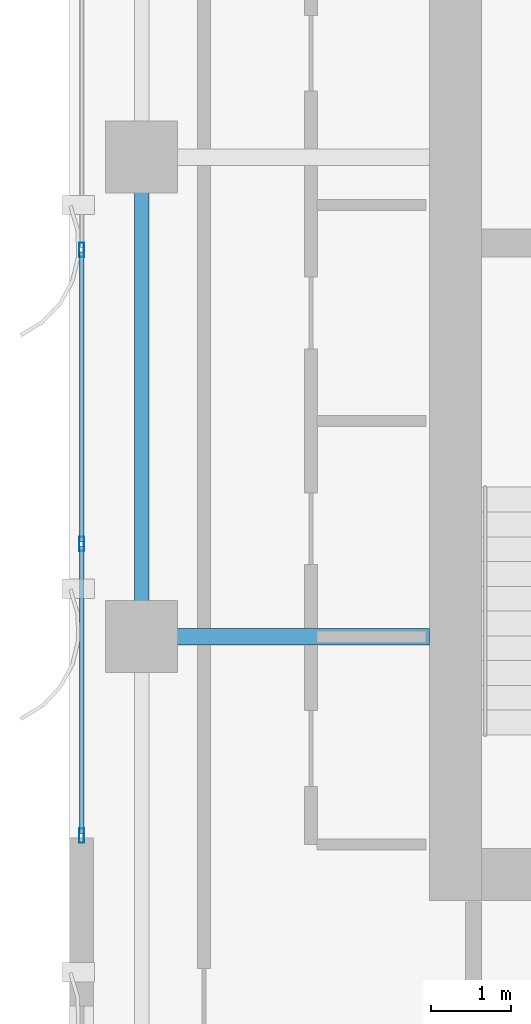
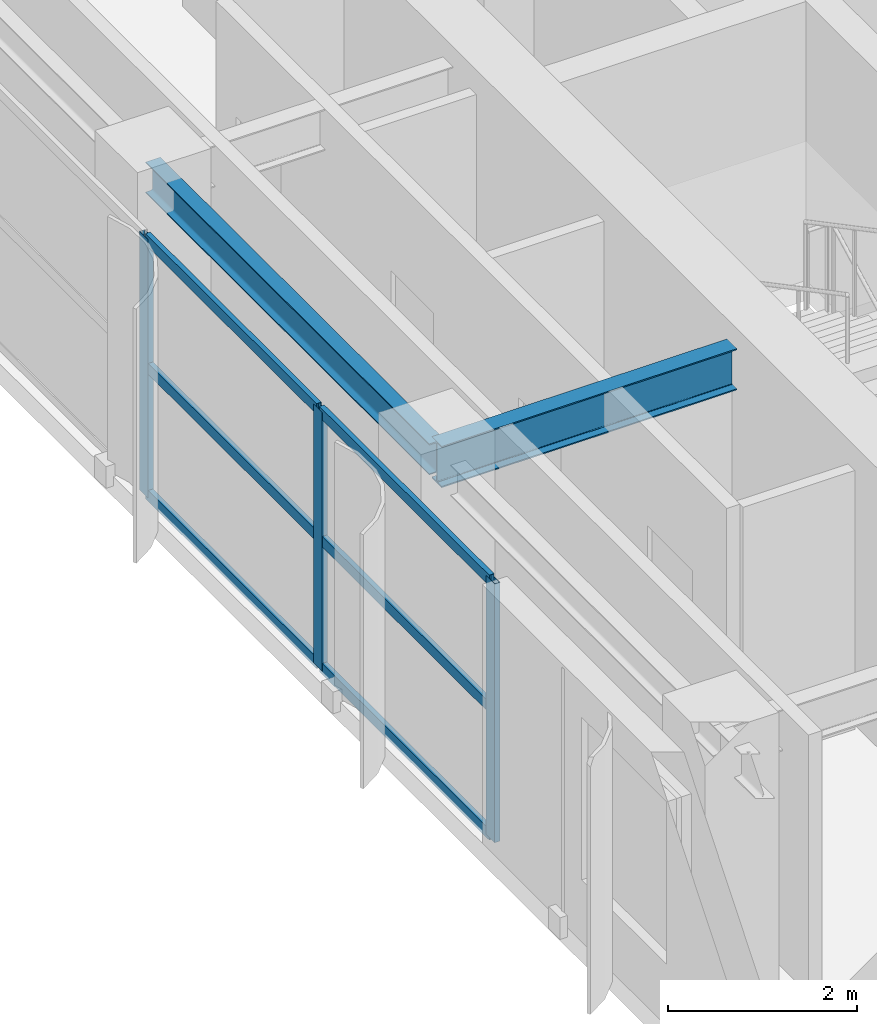
# One storey, part 7 of 25: 9 members, 2 beams, 1 element without a shape of its own.
"""IFC4 building model written with IfcOpenShell, lengths in metres."""

from ifc_helpers import new_model, si_unit, direction, frame, origin, origin_2d, place, context, subcontext, project, spatial, hollow_rectangle, i_section, extrude, source, transform, mapped, material, layer, layer_set, material_profile, profile_set, type_object, element, aggregate, save


model = new_model("IFC4")

# Units and contexts
model_context = context("Model", 3, precision=1e-05, world=origin(), true_north=direction((0.0, 1.0)))
body_context = subcontext(model_context, "Body", "Model", "MODEL_VIEW")
ifc_project = project(units=[si_unit("LENGTHUNIT", "METRE"), si_unit("AREAUNIT", "SQUARE_METRE"), si_unit("VOLUMEUNIT", "CUBIC_METRE"), si_unit("PLANEANGLEUNIT", "RADIAN"), si_unit("MASSUNIT", "GRAM", prefix="KILO")], contexts=[model_context])

# Site, building, storey
site_placement = place(None, origin())
site = spatial("IfcSite", under=ifc_project, at=site_placement, CompositionType="ELEMENT")
building_placement = place(site_placement, origin())
building = spatial("IfcBuilding", under=site, at=building_placement, Name="Khoralis Quay Care Tower", CompositionType="ELEMENT")
storey_placement = place(building_placement, frame((0.0, 0.0, 166.5)))
storey = spatial("IfcBuildingStorey", under=building, at=storey_placement, Name="L43", CompositionType="ELEMENT", Elevation=166.5)

# Beams
ifc_material_1 = material(Name="Steel S355", Category="steel")
ifc_material_profile_1 = material_profile(ifc_material_1, i_section(OverallWidth=0.179931640625, OverallDepth=0.39990234375, WebThickness=0.008544921875, FlangeThickness=0.013427734375, FilletRadius=0.02099609375, at=origin_2d()), Name="Steel S355")
ifc_profile_set_1 = profile_set([ifc_material_profile_1], Name="Steel S355")
beam_type_1 = type_object("IfcBeamType", Name="BM-IPE400", PredefinedType="SPANDREL", material=ifc_profile_set_1)
shared_shape_1 = source(origin(), body_context, "Body", "SweptSolid", [
    extrude(i_section(OverallWidth=0.179931640625, OverallDepth=0.39990234375, WebThickness=0.008544921875, FlangeThickness=0.013427734375, FilletRadius=0.02099609375, at=origin_2d()), origin(), (0.0, 0.0, 1.0), 6.0),
])
beam_1_placement = place(storey_placement, frame((3.89990234375, 18.0, 3.139892578125), z_axis=(0.0, 1.0, 0.0), x_axis=(-1.0, 0.0, 0.0)))
element("IfcBeam", 1, at=beam_1_placement, inside=storey, type_object=beam_type_1, Name="BM-TSP-L43-11", PredefinedType="SPANDREL", context=body_context, shape_type="MappedRepresentation", body=[
    mapped(shared_shape_1, transform((0.0, 0.0, 0.0), scale=1.0)),
])
ifc_material_profile_2 = material_profile(ifc_material_1, i_section(OverallWidth=0.208984375, OverallDepth=0.532958984375, WebThickness=0.01025390625, FlangeThickness=0.015625, FilletRadius=0.01611328125, at=origin_2d()), Name="Steel S355")
ifc_profile_set_2 = profile_set([ifc_material_profile_2], Name="Steel S355")
beam_type_2 = type_object("IfcBeamType", Name="BM-W530X92", PredefinedType="BEAM", material=ifc_profile_set_2)
shared_shape_2 = source(origin(), body_context, "Body", "SweptSolid", [
    extrude(i_section(OverallWidth=0.208984375, OverallDepth=0.532958984375, WebThickness=0.01025390625, FlangeThickness=0.015625, FilletRadius=0.01611328125, at=origin_2d()), origin(), (0.0, 0.0, 1.0), 3.60205078125),
])
beam_2_placement = place(storey_placement, frame((3.89990234375, 18.0, 3.073486328125), z_axis=(1.0, 0.0, 0.0), x_axis=(0.0, 1.0, 0.0)))
element("IfcBeam", 2, at=beam_2_placement, inside=storey, type_object=beam_type_2, Name="BM-TGXW-L43-180", PredefinedType="BEAM", context=body_context, shape_type="MappedRepresentation", body=[
    mapped(shared_shape_2, transform((0.0, 0.0, 0.0), scale=1.0)),
])

# Curtain wall, members
ifc_material_2 = material(Name="Pale anodised aluminium", Category="aluminium")
ifc_layer = layer(ifc_material_2, 0.159912109375)
ifc_layer_set = layer_set([ifc_layer], Name="Pale anodised aluminium")
curtain_wall_type = type_object("IfcCurtainWallType", Name="CW-SYS-Z3", PredefinedType="NOTDEFINED", material=ifc_layer_set)
curtain_wall_placement = place(storey_placement, origin())
curtain_wall = element("IfcCurtainWall", 3, at=curtain_wall_placement, inside=storey, type_object=curtain_wall_type, Name="L43 Unitised Curtain Wall CW-L43-P1-E15", PredefinedType="NOTDEFINED")
ifc_material_profile_3 = material_profile(ifc_material_2, hollow_rectangle(XDim=0.06494140625, YDim=0.179931640625, WallThickness=0.00390625, at=origin_2d()), Name="Pale anodised aluminium")
ifc_profile_set_3 = profile_set([ifc_material_profile_3], Name="Pale anodised aluminium")
member_type_1 = type_object("IfcMemberType", Name="CW-MUL-180", PredefinedType="MULLION", material=ifc_profile_set_3)
shared_shape_3 = source(origin(), body_context, "Body", "SweptSolid", [
    extrude(hollow_rectangle(XDim=0.06494140625, YDim=0.179931640625, WallThickness=0.00390625, at=origin_2d()), origin(), (0.0, 0.0, 1.0), 3.340087890625),
])
member_1_placement = place(storey_placement, frame((3.14990234375, 22.840087890625, 0.0), z_axis=(0.0, 0.0, 1.0), x_axis=(1.0, 0.0, 0.0)))
member_1 = element("IfcMember", 4, at=member_1_placement, type_object=member_type_1, Name="CW3 mullion 2", PredefinedType="MULLION", context=body_context, shape_type="MappedRepresentation", body=[
    mapped(shared_shape_3, transform((0.0, 0.0, 0.0), scale=1.0)),
])
member_2_placement = place(storey_placement, frame((3.14990234375, 19.159912109375, 0.0), z_axis=(0.0, 0.0, 1.0), x_axis=(1.0, 0.0, 0.0)))
member_2 = element("IfcMember", 5, at=member_2_placement, type_object=member_type_1, Name="CW3 mullion 3", PredefinedType="MULLION", context=body_context, shape_type="MappedRepresentation", body=[
    mapped(shared_shape_3, transform((0.0, 0.0, 0.0), scale=1.0)),
])
member_3_placement = place(storey_placement, frame((3.14990234375, 15.510009765625, 0.0), z_axis=(0.0, 0.0, 1.0), x_axis=(1.0, 0.0, 0.0)))
member_3 = element("IfcMember", 6, at=member_3_placement, type_object=member_type_1, Name="CW3 mullion 4", PredefinedType="MULLION", context=body_context, shape_type="MappedRepresentation", body=[
    mapped(shared_shape_3, transform((0.0, 0.0, 0.0), scale=1.0)),
])
ifc_material_profile_4 = material_profile(ifc_material_2, hollow_rectangle(XDim=0.06005859375, YDim=0.139892578125, WallThickness=0.00390625, at=origin_2d()), Name="Pale anodised aluminium")
ifc_profile_set_4 = profile_set([ifc_material_profile_4], Name="Pale anodised aluminium")
member_type_2 = type_object("IfcMemberType", Name="CW-TRN-140", PredefinedType="USERDEFINED", material=ifc_profile_set_4)
shared_shape_4 = source(origin(), body_context, "Body", "SweptSolid", [
    extrude(hollow_rectangle(XDim=0.06005859375, YDim=0.139892578125, WallThickness=0.00390625, at=origin_2d()), origin(), (0.0, 0.0, 1.0), 3.58984375),
])
member_4_placement = place(storey_placement, frame((3.14990234375, 19.1298828125, 0.030029296875), z_axis=(0.0, -1.0, 0.0), x_axis=(1.0, 0.0, 0.0)))
member_4 = element("IfcMember", 7, at=member_4_placement, type_object=member_type_2, Name="CW3 transom 3.1", ObjectType="TRANSOM", PredefinedType="USERDEFINED", context=body_context, shape_type="MappedRepresentation", body=[
    mapped(shared_shape_4, transform((0.0, 0.0, 0.0), scale=1.0)),
])
member_5_placement = place(storey_placement, frame((3.14990234375, 19.1298828125, 1.669921875), z_axis=(0.0, -1.0, 0.0), x_axis=(1.0, 0.0, 0.0)))
member_5 = element("IfcMember", 8, at=member_5_placement, type_object=member_type_2, Name="CW3 transom 3.2", ObjectType="TRANSOM", PredefinedType="USERDEFINED", context=body_context, shape_type="MappedRepresentation", body=[
    mapped(shared_shape_4, transform((0.0, 0.0, 0.0), scale=1.0)),
])
member_6_placement = place(storey_placement, frame((3.14990234375, 19.1298828125, 3.31005859375), z_axis=(0.0, -1.0, 0.0), x_axis=(1.0, 0.0, 0.0)))
member_6 = element("IfcMember", 9, at=member_6_placement, type_object=member_type_2, Name="CW3 transom 3.3", ObjectType="TRANSOM", PredefinedType="USERDEFINED", context=body_context, shape_type="MappedRepresentation", body=[
    mapped(shared_shape_4, transform((0.0, 0.0, 0.0), scale=1.0)),
])
shared_shape_5 = source(origin(), body_context, "Body", "SweptSolid", [
    extrude(hollow_rectangle(XDim=0.06005859375, YDim=0.139892578125, WallThickness=0.00390625, at=origin_2d()), origin(), (0.0, 0.0, 1.0), 3.6201171875),
])
member_7_placement = place(storey_placement, frame((3.14990234375, 22.81005859375, 0.030029296875), z_axis=(0.0, -1.0, 0.0), x_axis=(1.0, 0.0, 0.0)))
member_7 = element("IfcMember", 10, at=member_7_placement, type_object=member_type_2, Name="CW3 transom 2.1", ObjectType="TRANSOM", PredefinedType="USERDEFINED", context=body_context, shape_type="MappedRepresentation", body=[
    mapped(shared_shape_5, transform((0.0, 0.0, 0.0), scale=1.0)),
])
member_8_placement = place(storey_placement, frame((3.14990234375, 22.81005859375, 1.669921875), z_axis=(0.0, -1.0, 0.0), x_axis=(1.0, 0.0, 0.0)))
member_8 = element("IfcMember", 11, at=member_8_placement, type_object=member_type_2, Name="CW3 transom 2.2", ObjectType="TRANSOM", PredefinedType="USERDEFINED", context=body_context, shape_type="MappedRepresentation", body=[
    mapped(shared_shape_5, transform((0.0, 0.0, 0.0), scale=1.0)),
])
member_9_placement = place(storey_placement, frame((3.14990234375, 22.81005859375, 3.31005859375), z_axis=(0.0, -1.0, 0.0), x_axis=(1.0, 0.0, 0.0)))
member_9 = element("IfcMember", 12, at=member_9_placement, type_object=member_type_2, Name="CW3 transom 2.3", ObjectType="TRANSOM", PredefinedType="USERDEFINED", context=body_context, shape_type="MappedRepresentation", body=[
    mapped(shared_shape_5, transform((0.0, 0.0, 0.0), scale=1.0)),
])
aggregate(curtain_wall, [member_1, member_2, member_3, member_7, member_8, member_9, member_4, member_5, member_6])

save(model, "model.ifc")
